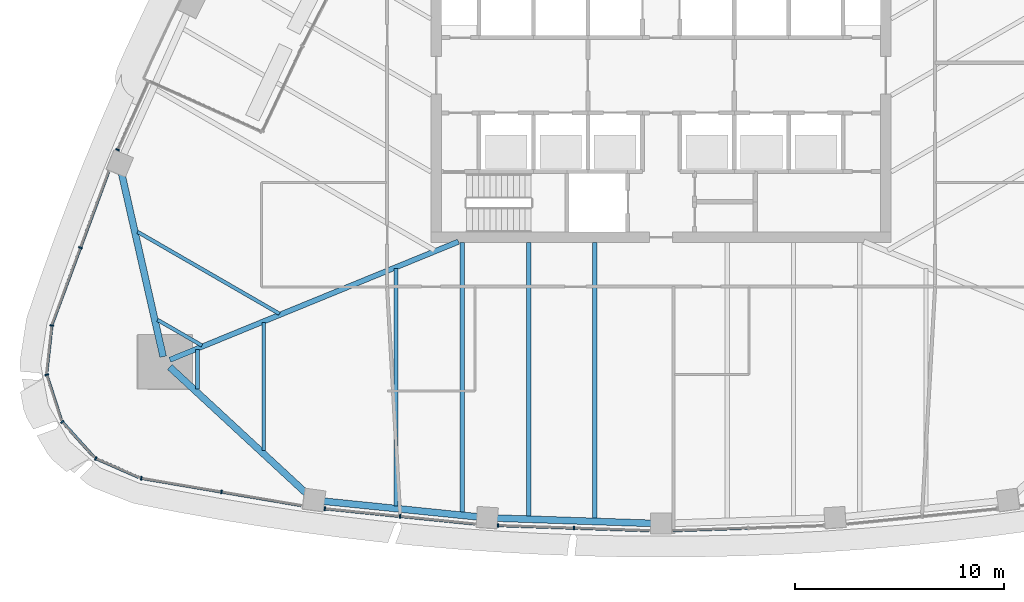
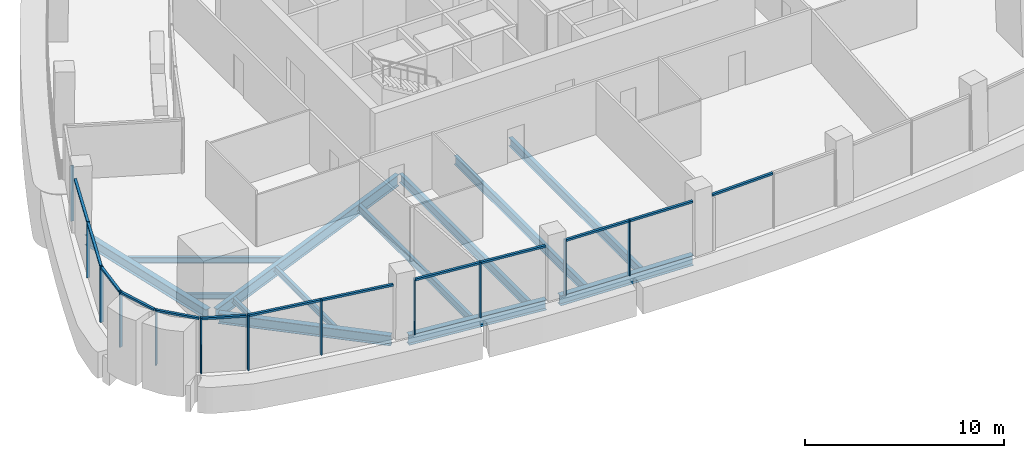
# One storey, part 2 of 19: 25 members, 13 beams, 10 elements without a shape of their own.
"""IFC4 building model written with IfcOpenShell, lengths in metres."""

from ifc_helpers import new_model, si_unit, direction, frame, origin, origin_2d, place, context, subcontext, project, spatial, rectangle, i_section, extrude, material, layer, layer_set, material_profile, profile_set, type_object, element, aggregate, save


model = new_model("IFC4")

# Units and contexts
model_context = context("Model", 3, precision=1e-05, world=origin(), true_north=direction((0.0, 1.0)))
body_context = subcontext(model_context, "Body", "Model", "MODEL_VIEW")
ifc_project = project(units=[si_unit("LENGTHUNIT", "METRE"), si_unit("AREAUNIT", "SQUARE_METRE"), si_unit("VOLUMEUNIT", "CUBIC_METRE"), si_unit("PLANEANGLEUNIT", "RADIAN"), si_unit("MASSUNIT", "GRAM", prefix="KILO")], contexts=[model_context])

# Site, building, storey
site_placement = place(None, origin())
site = spatial("IfcSite", under=ifc_project, at=site_placement, CompositionType="ELEMENT")
building_placement = place(site_placement, origin())
building = spatial("IfcBuilding", under=site, at=building_placement, Name="Sierra Prisma Convention Tower", CompositionType="ELEMENT")
storey_placement = place(building_placement, frame((0.0, 0.0, 173.800048828125)))
storey = spatial("IfcBuildingStorey", under=building, at=storey_placement, Name="L38", CompositionType="ELEMENT", Elevation=173.800048828125)

# Curtain wall, member
ifc_material_1 = material(Name="Aluminium and glass curtain wall", Category="aluminium")
ifc_layer = layer(ifc_material_1, 0.179931640625)
ifc_layer_set = layer_set([ifc_layer], Name="CW-1 Plain shaft curtain wall")
curtain_wall_type = type_object("IfcCurtainWallType", Name="CW-1 Plain shaft curtain wall", PredefinedType="NOTDEFINED", material=ifc_layer_set)
curtain_wall_1_placement = place(storey_placement, origin())
curtain_wall_1 = element("IfcCurtainWall", 1, at=curtain_wall_1_placement, inside=storey, type_object=curtain_wall_type, Name="CW-1 NW5b L38", PredefinedType="NOTDEFINED")
ifc_material_2 = material(Name="Aluminium 6063-T6 bronze anodised", Category="aluminium")
ifc_material_profile_1 = material_profile(ifc_material_2, rectangle(XDim=0.179931640625, YDim=0.070068359375, at=origin_2d()), Name="ALU MULLION 70x180")
ifc_profile_set_1 = profile_set([ifc_material_profile_1], Name="Aluminium 6063-T6 bronze anodised")
member_type_1 = type_object("IfcMemberType", Name="CW mullion bronze", PredefinedType="MULLION", material=ifc_profile_set_1)
member_1_placement = place(storey_placement, frame((-25.982666015625, -3.5634765625, 0.0), z_axis=(0.0, 0.0, 1.0), x_axis=(0.912124343507, -0.409913627465, 0.0)))
member_1 = element("IfcMember", 2, at=member_1_placement, type_object=member_type_1, Name="CW-1 mullion NW5b.2", PredefinedType="MULLION", context=body_context, shape_type="SweptSolid", body=[
    extrude(rectangle(XDim=0.179931640625, YDim=0.070068359375, at=origin_2d()), origin(), (0.0, 0.0, 1.0), 3.39990234375),
])
aggregate(curtain_wall_1, [member_1])

curtain_wall_2_placement = place(storey_placement, origin())
curtain_wall_2 = element("IfcCurtainWall", 3, at=curtain_wall_2_placement, inside=storey, type_object=curtain_wall_type, Name="CW-1 NW6 L38", PredefinedType="NOTDEFINED")
member_2_placement = place(storey_placement, frame((-27.758056640625, -8.241943359375, 0.0), z_axis=(0.0, 0.0, 1.0), x_axis=(0.937692909191, -0.34746511775, 0.0)))
member_2 = element("IfcMember", 4, at=member_2_placement, type_object=member_type_1, Name="CW-1 mullion NW6.2", PredefinedType="MULLION", context=body_context, shape_type="SweptSolid", body=[
    extrude(rectangle(XDim=0.179931640625, YDim=0.070068359375, at=origin_2d()), origin(), (0.0, 0.0, 1.0), 3.39990234375),
])

curtain_wall_3_placement = place(storey_placement, origin())
curtain_wall_3 = element("IfcCurtainWall", 5, at=curtain_wall_3_placement, inside=storey, type_object=curtain_wall_type, Name="CW-1 SW1 L38", PredefinedType="NOTDEFINED")
member_3_placement = place(storey_placement, frame((-29.125732421875, -11.95751953125, 0.0), z_axis=(0.0, 0.0, 1.0), x_axis=(0.99396265281, -0.109718935555, 0.0)))
member_3 = element("IfcMember", 6, at=member_3_placement, type_object=member_type_1, Name="CW-1 mullion SW1.1", PredefinedType="MULLION", context=body_context, shape_type="SweptSolid", body=[
    extrude(rectangle(XDim=0.179931640625, YDim=0.070068359375, at=origin_2d()), origin(), (0.0, 0.0, 1.0), 3.39990234375),
])

curtain_wall_4_placement = place(storey_placement, origin())
curtain_wall_4 = element("IfcCurtainWall", 7, at=curtain_wall_4_placement, inside=storey, type_object=curtain_wall_type, Name="CW-1 SW2 L38", PredefinedType="NOTDEFINED")
member_4_placement = place(storey_placement, frame((-29.371826171875, -14.316162109375, 0.0), z_axis=(0.0, 0.0, 1.0), x_axis=(0.95159281904, 0.307361524515, 0.0)))
member_4 = element("IfcMember", 8, at=member_4_placement, type_object=member_type_1, Name="CW-1 mullion SW2.1", PredefinedType="MULLION", context=body_context, shape_type="SweptSolid", body=[
    extrude(rectangle(XDim=0.179931640625, YDim=0.070068359375, at=origin_2d()), origin(), (0.0, 0.0, 1.0), 3.39990234375),
])

curtain_wall_5_placement = place(storey_placement, origin())
curtain_wall_5 = element("IfcCurtainWall", 9, at=curtain_wall_5_placement, inside=storey, type_object=curtain_wall_type, Name="CW-1 SW3 L38", PredefinedType="NOTDEFINED")
member_5_placement = place(storey_placement, frame((-28.629150390625, -16.568603515625, 0.0), z_axis=(0.0, 0.0, 1.0), x_axis=(0.741979297896, 0.67042279309, 0.0)))
member_5 = element("IfcMember", 10, at=member_5_placement, type_object=member_type_1, Name="CW-1 mullion SW3.1", PredefinedType="MULLION", context=body_context, shape_type="SweptSolid", body=[
    extrude(rectangle(XDim=0.179931640625, YDim=0.070068359375, at=origin_2d()), origin(), (0.0, 0.0, 1.0), 3.39990234375),
])

curtain_wall_6_placement = place(storey_placement, origin())
curtain_wall_6 = element("IfcCurtainWall", 11, at=curtain_wall_6_placement, inside=storey, type_object=curtain_wall_type, Name="CW-1 SW4 L38", PredefinedType="NOTDEFINED")
member_6_placement = place(storey_placement, frame((-27.028564453125, -18.318603515625, 0.0), z_axis=(0.0, 0.0, 1.0), x_axis=(0.401961940938, 0.915656375524, 0.0)))
member_6 = element("IfcMember", 12, at=member_6_placement, type_object=member_type_1, Name="CW-1 mullion SW4.1", PredefinedType="MULLION", context=body_context, shape_type="SweptSolid", body=[
    extrude(rectangle(XDim=0.179931640625, YDim=0.070068359375, at=origin_2d()), origin(), (0.0, 0.0, 1.0), 3.39990234375),
])

# Curtain wall, members
curtain_wall_7_placement = place(storey_placement, origin())
curtain_wall_7 = element("IfcCurtainWall", 13, at=curtain_wall_7_placement, inside=storey, type_object=curtain_wall_type, Name="CW-1 S1 L38", PredefinedType="NOTDEFINED")
member_7_placement = place(storey_placement, frame((-24.851806640625, -19.264892578125, 0.0), z_axis=(0.0, 0.0, 1.0), x_axis=(0.167932835695, 0.985798439183, 0.0)))
member_7 = element("IfcMember", 14, at=member_7_placement, type_object=member_type_1, Name="CW-1 mullion S1.1", PredefinedType="MULLION", context=body_context, shape_type="SweptSolid", body=[
    extrude(rectangle(XDim=0.179931640625, YDim=0.070068359375, at=origin_2d()), origin(), (0.0, 0.0, 1.0), 3.39990234375),
])
member_8_placement = place(storey_placement, frame((-21.0166015625, -19.918212890625, 0.0), z_axis=(0.0, 0.0, 1.0), x_axis=(0.167932835695, 0.985798439183, 0.0)))
member_8 = element("IfcMember", 15, at=member_8_placement, type_object=member_type_1, Name="CW-1 mullion S1.2", PredefinedType="MULLION", context=body_context, shape_type="SweptSolid", body=[
    extrude(rectangle(XDim=0.179931640625, YDim=0.070068359375, at=origin_2d()), origin(), (0.0, 0.0, 1.0), 3.39990234375),
])

curtain_wall_8_placement = place(storey_placement, origin())
curtain_wall_8 = element("IfcCurtainWall", 16, at=curtain_wall_8_placement, inside=storey, type_object=curtain_wall_type, Name="CW-1 S2 L38", PredefinedType="NOTDEFINED")
member_9_placement = place(storey_placement, frame((-16.077392578125, -20.719970703125, 0.0), z_axis=(0.0, 0.0, 1.0), x_axis=(0.101066557011, 0.99487966662, 0.0)))
member_9 = element("IfcMember", 17, at=member_9_placement, type_object=member_type_1, Name="CW-1 mullion S2.1", PredefinedType="MULLION", context=body_context, shape_type="SweptSolid", body=[
    extrude(rectangle(XDim=0.179931640625, YDim=0.070068359375, at=origin_2d()), origin(), (0.0, 0.0, 1.0), 3.39990234375),
])
member_10_placement = place(storey_placement, frame((-12.477783203125, -21.085693359375, 0.0), z_axis=(0.0, 0.0, 1.0), x_axis=(0.101066557011, 0.99487966662, 0.0)))
member_10 = element("IfcMember", 18, at=member_10_placement, type_object=member_type_1, Name="CW-1 mullion S2.2", PredefinedType="MULLION", context=body_context, shape_type="SweptSolid", body=[
    extrude(rectangle(XDim=0.179931640625, YDim=0.070068359375, at=origin_2d()), origin(), (0.0, 0.0, 1.0), 3.39990234375),
])

curtain_wall_9_placement = place(storey_placement, origin())
curtain_wall_9 = element("IfcCurtainWall", 19, at=curtain_wall_9_placement, inside=storey, type_object=curtain_wall_type, Name="CW-1 S3 L38", PredefinedType="NOTDEFINED")
member_11_placement = place(storey_placement, frame((-7.798828125, -21.52392578125, 0.0), z_axis=(0.0, 0.0, 1.0), x_axis=(0.033740064896, 0.999430641926, 0.0)))
member_11 = element("IfcMember", 20, at=member_11_placement, type_object=member_type_1, Name="CW-1 mullion S3.1", PredefinedType="MULLION", context=body_context, shape_type="SweptSolid", body=[
    extrude(rectangle(XDim=0.179931640625, YDim=0.070068359375, at=origin_2d()), origin(), (0.0, 0.0, 1.0), 3.39990234375),
])
member_12_placement = place(storey_placement, frame((-4.166748046875, -21.646484375, 0.0), z_axis=(0.0, 0.0, 1.0), x_axis=(0.033740064896, 0.999430641926, 0.0)))
member_12 = element("IfcMember", 21, at=member_12_placement, type_object=member_type_1, Name="CW-1 mullion S3.2", PredefinedType="MULLION", context=body_context, shape_type="SweptSolid", body=[
    extrude(rectangle(XDim=0.179931640625, YDim=0.070068359375, at=origin_2d()), origin(), (0.0, 0.0, 1.0), 3.39990234375),
])

# Member
ifc_material_3 = material(Name="Aluminium 6063-T6 bronze anodised", Category="aluminium")
ifc_material_profile_2 = material_profile(ifc_material_3, rectangle(XDim=0.139892578125, YDim=0.1201171875, at=origin_2d()), Name="ALU TRANSOM 120x140")
ifc_profile_set_2 = profile_set([ifc_material_profile_2], Name="Aluminium 6063-T6 bronze anodised")
member_type_2 = type_object("IfcMemberType", Name="CW transom bronze", PredefinedType="USERDEFINED", material=ifc_profile_set_2)
member_13_placement = place(storey_placement, frame((-26.41845703125, -4.626708984375, 3.33984375), z_axis=(-0.347457967234, -0.937695558806, 0.0), x_axis=(0.937695558806, -0.347457967234, 0.0)))
member_13 = element("IfcMember", 22, at=member_13_placement, type_object=member_type_2, Name="CW-1 transom NW6.1", ObjectType="TRANSOM", PredefinedType="USERDEFINED", context=body_context, shape_type="SweptSolid", body=[
    extrude(rectangle(XDim=0.139892578125, YDim=0.1201171875, at=origin_2d()), origin(), (0.0, 0.0, 1.0), 3.8203125),
])

member_14_placement = place(storey_placement, frame((-27.770263671875, -8.274658203125, 3.33984375), z_axis=(-0.347457967234, -0.937695558806, 0.0), x_axis=(0.937695558806, -0.347457967234, 0.0)))
member_14 = element("IfcMember", 23, at=member_14_placement, type_object=member_type_2, Name="CW-1 transom NW6.2", ObjectType="TRANSOM", PredefinedType="USERDEFINED", context=body_context, shape_type="SweptSolid", body=[
    extrude(rectangle(XDim=0.139892578125, YDim=0.1201171875, at=origin_2d()), origin(), (0.0, 0.0, 1.0), 3.8203125),
])

aggregate(curtain_wall_2, [member_2, member_13, member_14])

member_15_placement = place(storey_placement, frame((-29.129638671875, -11.9921875, 3.33984375), z_axis=(-0.109688055102, -0.993966061074, 0.0), x_axis=(0.993966061074, -0.109688055102, 0.0)))
member_15 = element("IfcMember", 24, at=member_15_placement, type_object=member_type_2, Name="CW-1 transom SW1.1", ObjectType="TRANSOM", PredefinedType="USERDEFINED", context=body_context, shape_type="SweptSolid", body=[
    extrude(rectangle(XDim=0.139892578125, YDim=0.1201171875, at=origin_2d()), origin(), (0.0, 0.0, 1.0), 2.234619140625),
])

aggregate(curtain_wall_3, [member_3, member_15])

member_16_placement = place(storey_placement, frame((-29.361083984375, -14.349609375, 3.33984375), z_axis=(0.307430483083, -0.951570542877, 0.0), x_axis=(0.951570542877, 0.307430483083, 0.0)))
member_16 = element("IfcMember", 25, at=member_16_placement, type_object=member_type_2, Name="CW-1 transom SW2.1", ObjectType="TRANSOM", PredefinedType="USERDEFINED", context=body_context, shape_type="SweptSolid", body=[
    extrude(rectangle(XDim=0.139892578125, YDim=0.1201171875, at=origin_2d()), origin(), (0.0, 0.0, 1.0), 2.234619140625),
])

aggregate(curtain_wall_4, [member_4, member_16])

member_17_placement = place(storey_placement, frame((-28.605712890625, -16.594482421875, 3.33984375), z_axis=(0.670363888221, -0.742032517731, 0.0), x_axis=(0.742032517731, 0.670363888221, 0.0)))
member_17 = element("IfcMember", 26, at=member_17_placement, type_object=member_type_2, Name="CW-1 transom SW3.1", ObjectType="TRANSOM", PredefinedType="USERDEFINED", context=body_context, shape_type="SweptSolid", body=[
    extrude(rectangle(XDim=0.139892578125, YDim=0.1201171875, at=origin_2d()), origin(), (0.0, 0.0, 1.0), 2.234619140625),
])

aggregate(curtain_wall_5, [member_5, member_17])

member_18_placement = place(storey_placement, frame((-26.99658203125, -18.332763671875, 3.33984375), z_axis=(0.915662665151, -0.401947613064, 0.0), x_axis=(0.401947613064, 0.915662665151, 0.0)))
member_18 = element("IfcMember", 27, at=member_18_placement, type_object=member_type_2, Name="CW-1 transom SW4.1", ObjectType="TRANSOM", PredefinedType="USERDEFINED", context=body_context, shape_type="SweptSolid", body=[
    extrude(rectangle(XDim=0.139892578125, YDim=0.1201171875, at=origin_2d()), origin(), (0.0, 0.0, 1.0), 2.234619140625),
])

aggregate(curtain_wall_6, [member_6, member_18])

member_19_placement = place(storey_placement, frame((-24.8173828125, -19.270751953125, 3.33984375), z_axis=(0.985798670523, -0.167931477678, 0.0), x_axis=(0.167931477678, 0.985798670523, 0.0)))
member_19 = element("IfcMember", 28, at=member_19_placement, type_object=member_type_2, Name="CW-1 transom S1.1", ObjectType="TRANSOM", PredefinedType="USERDEFINED", context=body_context, shape_type="SweptSolid", body=[
    extrude(rectangle(XDim=0.139892578125, YDim=0.1201171875, at=origin_2d()), origin(), (0.0, 0.0, 1.0), 3.820556640625),
])

member_20_placement = place(storey_placement, frame((-20.982177734375, -19.924072265625, 3.33984375), z_axis=(0.985796868286, -0.167942056907, 0.0), x_axis=(0.167942056907, 0.985796868286, 0.0)))
member_20 = element("IfcMember", 29, at=member_20_placement, type_object=member_type_2, Name="CW-1 transom S1.2", ObjectType="TRANSOM", PredefinedType="USERDEFINED", context=body_context, shape_type="SweptSolid", body=[
    extrude(rectangle(XDim=0.139892578125, YDim=0.1201171875, at=origin_2d()), origin(), (0.0, 0.0, 1.0), 3.8203125),
])

aggregate(curtain_wall_7, [member_7, member_8, member_19, member_20])

member_21_placement = place(storey_placement, frame((-16.042724609375, -20.7236328125, 3.33984375), z_axis=(0.994885492501, -0.101009191714, 0.0), x_axis=(0.101009191714, 0.994885492501, 0.0)))
member_21 = element("IfcMember", 30, at=member_21_placement, type_object=member_type_2, Name="CW-1 transom S2.1", ObjectType="TRANSOM", PredefinedType="USERDEFINED", context=body_context, shape_type="SweptSolid", body=[
    extrude(rectangle(XDim=0.139892578125, YDim=0.1201171875, at=origin_2d()), origin(), (0.0, 0.0, 1.0), 3.548095703125),
])

member_22_placement = place(storey_placement, frame((-12.443115234375, -21.089111328125, 3.33984375), z_axis=(0.99487857559, -0.101077296324, 0.0), x_axis=(0.101077296324, 0.99487857559, 0.0)))
member_22 = element("IfcMember", 31, at=member_22_placement, type_object=member_type_2, Name="CW-1 transom S2.2", ObjectType="TRANSOM", PredefinedType="USERDEFINED", context=body_context, shape_type="SweptSolid", body=[
    extrude(rectangle(XDim=0.139892578125, YDim=0.1201171875, at=origin_2d()), origin(), (0.0, 0.0, 1.0), 3.548095703125),
])

aggregate(curtain_wall_8, [member_9, member_10, member_21, member_22])

member_23_placement = place(storey_placement, frame((-7.763916015625, -21.525146484375, 3.33984375), z_axis=(0.999431984818, -0.033700262938, 0.0), x_axis=(0.033700262938, 0.999431984818, 0.0)))
member_23 = element("IfcMember", 32, at=member_23_placement, type_object=member_type_2, Name="CW-1 transom S3.1", ObjectType="TRANSOM", PredefinedType="USERDEFINED", context=body_context, shape_type="SweptSolid", body=[
    extrude(rectangle(XDim=0.139892578125, YDim=0.1201171875, at=origin_2d()), origin(), (0.0, 0.0, 1.0), 3.564208984375),
])

member_24_placement = place(storey_placement, frame((-4.1318359375, -21.647705078125, 3.33984375), z_axis=(0.999431984818, -0.033700262938, 0.0), x_axis=(0.033700262938, 0.999431984818, 0.0)))
member_24 = element("IfcMember", 33, at=member_24_placement, type_object=member_type_2, Name="CW-1 transom S3.2", ObjectType="TRANSOM", PredefinedType="USERDEFINED", context=body_context, shape_type="SweptSolid", body=[
    extrude(rectangle(XDim=0.139892578125, YDim=0.1201171875, at=origin_2d()), origin(), (0.0, 0.0, 1.0), 3.564208984375),
])

aggregate(curtain_wall_9, [member_11, member_12, member_23, member_24])

# Curtain wall, member
curtain_wall_10_placement = place(storey_placement, origin())
curtain_wall_10 = element("IfcCurtainWall", 34, at=curtain_wall_10_placement, inside=storey, type_object=curtain_wall_type, Name="CW-1 S4 L38", PredefinedType="NOTDEFINED")
member_25_placement = place(storey_placement, frame((0.569580078125, -21.767822265625, 3.33984375), z_axis=(0.999431984818, 0.033700262938, 0.0), x_axis=(-0.033700262938, 0.999431984818, 0.0)))
member_25 = element("IfcMember", 35, at=member_25_placement, type_object=member_type_2, Name="CW-1 transom S4.1", ObjectType="TRANSOM", PredefinedType="USERDEFINED", context=body_context, shape_type="SweptSolid", body=[
    extrude(rectangle(XDim=0.139892578125, YDim=0.1201171875, at=origin_2d()), origin(), (0.0, 0.0, 1.0), 3.564208984375),
])
aggregate(curtain_wall_10, [member_25])

# Beams
ifc_material_4 = material(Name="Steel ASTM A992 Gr 50", Category="steel")
ifc_material_profile_3 = material_profile(ifc_material_4, i_section(OverallWidth=0.172119140625, OverallDepth=0.35791015625, WebThickness=0.0078125, FlangeThickness=0.01318359375, at=origin_2d()), Name="W360x57")
ifc_profile_set_3 = profile_set([ifc_material_profile_3], Name="Steel ASTM A992 Gr 50")
beam_type_1 = type_object("IfcBeamType", Name="Floor joist W360x57", PredefinedType="JOIST", material=ifc_profile_set_3)
beam_1_placement = place(storey_placement, frame((-22.1640625, -15.00341796875, -0.3291015625), z_axis=(0.0, 1.0, 0.0), x_axis=(-1.0, 0.0, 0.0)))
element("IfcBeam", 36, at=beam_1_placement, inside=storey, type_object=beam_type_1, Name="Floor joist L38 S01", PredefinedType="JOIST", context=body_context, shape_type="SweptSolid", body=[
    extrude(i_section(OverallWidth=0.172119140625, OverallDepth=0.35791015625, WebThickness=0.0078125, FlangeThickness=0.01318359375, at=origin_2d()), origin(), (0.0, 0.0, 1.0), 1.88623046875),
])
beam_2_placement = place(storey_placement, frame((-18.997802734375, -17.931884765625, -0.3291015625), z_axis=(0.0, 1.0, 0.0), x_axis=(-1.0, 0.0, 0.0)))
element("IfcBeam", 37, at=beam_2_placement, inside=storey, type_object=beam_type_1, Name="Floor joist L38 S02", PredefinedType="JOIST", context=body_context, shape_type="SweptSolid", body=[
    extrude(i_section(OverallWidth=0.172119140625, OverallDepth=0.35791015625, WebThickness=0.0078125, FlangeThickness=0.01318359375, at=origin_2d()), origin(), (0.0, 0.0, 1.0), 6.111083984375),
])
beam_3_placement = place(storey_placement, frame((-25.0283203125, -7.486572265625, -0.3291015625), z_axis=(0.86602675185, -0.499997665074, 0.0), x_axis=(0.499997665074, 0.86602675185, 0.0)))
element("IfcBeam", 38, at=beam_3_placement, inside=storey, type_object=beam_type_1, Name="Floor joist L38 NW14", PredefinedType="JOIST", context=body_context, shape_type="SweptSolid", body=[
    extrude(i_section(OverallWidth=0.172119140625, OverallDepth=0.35791015625, WebThickness=0.0078125, FlangeThickness=0.01318359375, at=origin_2d()), origin(), (0.0, 0.0, 1.0), 7.83251953125),
])
beam_4_placement = place(storey_placement, frame((-24.075439453125, -11.69287109375, -0.3291015625), z_axis=(0.866018256711, -0.500012378889, 0.0), x_axis=(0.500012378889, 0.866018256711, 0.0)))
element("IfcBeam", 39, at=beam_4_placement, inside=storey, type_object=beam_type_1, Name="Floor joist L38 NW15", PredefinedType="JOIST", context=body_context, shape_type="SweptSolid", body=[
    extrude(i_section(OverallWidth=0.172119140625, OverallDepth=0.35791015625, WebThickness=0.0078125, FlangeThickness=0.01318359375, at=origin_2d()), origin(), (0.0, 0.0, 1.0), 2.4541015625),
])
ifc_material_5 = material(Name="Steel ASTM A992 Gr 50", Category="steel")
ifc_material_profile_4 = material_profile(ifc_material_5, i_section(OverallWidth=0.18994140625, OverallDepth=0.45703125, WebThickness=0.009033203125, FlangeThickness=0.014404296875, at=origin_2d()), Name="W460x74")
ifc_profile_set_4 = profile_set([ifc_material_profile_4], Name="Steel ASTM A992 Gr 50")
beam_type_2 = type_object("IfcBeamType", Name="Floor joist W460x74", PredefinedType="JOIST", material=ifc_profile_set_4)
beam_5_placement = place(storey_placement, frame((-12.665283203125, -20.601806640625, -0.378662109375), z_axis=(0.0, 1.0, 0.0), x_axis=(-1.0, 0.0, 0.0)))
element("IfcBeam", 40, at=beam_5_placement, inside=storey, type_object=beam_type_2, Name="Floor joist L38 S04", PredefinedType="JOIST", context=body_context, shape_type="SweptSolid", body=[
    extrude(i_section(OverallWidth=0.18994140625, OverallDepth=0.45703125, WebThickness=0.009033203125, FlangeThickness=0.014404296875, at=origin_2d()), origin(), (0.0, 0.0, 1.0), 11.373779296875),
])
ifc_material_6 = material(Name="Steel ASTM A992 Gr 50", Category="steel")
ifc_material_profile_5 = material_profile(ifc_material_6, i_section(OverallWidth=0.208984375, OverallDepth=0.532958984375, WebThickness=0.01025390625, FlangeThickness=0.015625, at=origin_2d()), Name="W530x92")
ifc_profile_set_5 = profile_set([ifc_material_profile_5], Name="Steel ASTM A992 Gr 50")
beam_type_3 = type_object("IfcBeamType", Name="Floor joist W530x92", PredefinedType="JOIST", material=ifc_profile_set_5)
beam_6_placement = place(storey_placement, frame((-9.498779296875, -20.92333984375, -0.41650390625), z_axis=(0.0, 1.0, 0.0), x_axis=(-1.0, 0.0, 0.0)))
element("IfcBeam", 41, at=beam_6_placement, inside=storey, type_object=beam_type_3, Name="Floor joist L38 S05", PredefinedType="JOIST", context=body_context, shape_type="SweptSolid", body=[
    extrude(i_section(OverallWidth=0.208984375, OverallDepth=0.532958984375, WebThickness=0.01025390625, FlangeThickness=0.015625, at=origin_2d()), origin(), (0.0, 0.0, 1.0), 12.92333984375),
])
beam_7_placement = place(storey_placement, frame((-6.33251953125, -21.11083984375, -0.41650390625), z_axis=(0.0, 1.0, 0.0), x_axis=(-1.0, 0.0, 0.0)))
element("IfcBeam", 42, at=beam_7_placement, inside=storey, type_object=beam_type_3, Name="Floor joist L38 S06", PredefinedType="JOIST", context=body_context, shape_type="SweptSolid", body=[
    extrude(i_section(OverallWidth=0.208984375, OverallDepth=0.532958984375, WebThickness=0.01025390625, FlangeThickness=0.015625, at=origin_2d()), origin(), (0.0, 0.0, 1.0), 13.11083984375),
])
beam_8_placement = place(storey_placement, frame((-3.166259765625, -21.217529296875, -0.41650390625), z_axis=(0.0, 1.0, 0.0), x_axis=(-1.0, 0.0, 0.0)))
element("IfcBeam", 43, at=beam_8_placement, inside=storey, type_object=beam_type_3, Name="Floor joist L38 S07", PredefinedType="JOIST", context=body_context, shape_type="SweptSolid", body=[
    extrude(i_section(OverallWidth=0.208984375, OverallDepth=0.532958984375, WebThickness=0.01025390625, FlangeThickness=0.015625, at=origin_2d()), origin(), (0.0, 0.0, 1.0), 13.217529296875),
])
ifc_material_7 = material(Name="Steel ASTM A992 Gr 50", Category="steel")
ifc_material_profile_6 = material_profile(ifc_material_7, i_section(OverallWidth=0.25390625, OverallDepth=0.68408203125, WebThickness=0.012451171875, FlangeThickness=0.018798828125, at=origin_2d()), Name="W690x140")
ifc_profile_set_6 = profile_set([ifc_material_profile_6], Name="Steel ASTM A992 Gr 50")
beam_type_4 = type_object("IfcBeamType", Name="Radial girder W690x140", PredefinedType="BEAM", material=ifc_profile_set_6)
beam_9_placement = place(storey_placement, frame((-23.4873046875, -13.60400390625, -0.491943359375), z_axis=(0.925437891645, 0.378899338488, 0.0), x_axis=(-0.378899338488, 0.925437891645, 0.0)))
element("IfcBeam", 44, at=beam_9_placement, inside=storey, type_object=beam_type_4, Name="Radial girder L38 SW", PredefinedType="BEAM", context=body_context, shape_type="SweptSolid", body=[
    extrude(i_section(OverallWidth=0.25390625, OverallDepth=0.68408203125, WebThickness=0.012451171875, FlangeThickness=0.018798828125, at=origin_2d()), origin(), (0.0, 0.0, 1.0), 14.91015625),
])
ifc_material_8 = material(Name="Steel ASTM A992 Gr 50", Category="steel")
ifc_material_profile_7 = material_profile(ifc_material_8, i_section(OverallWidth=0.324951171875, OverallDepth=0.615966796875, WebThickness=0.013916015625, FlangeThickness=0.021484375, at=origin_2d()), Name="W610x174")
ifc_profile_set_7 = profile_set([ifc_material_profile_7], Name="Steel ASTM A992 Gr 50")
beam_type_5 = type_object("IfcBeamType", Name="Spandrel beam W610x174", PredefinedType="BEAM", material=ifc_profile_set_7)
beam_10_placement = place(storey_placement, frame((-23.4873046875, -13.950927734375, -0.4580078125), z_axis=(0.734127530013, -0.679011612329, 0.0), x_axis=(0.679011612329, 0.734127530013, 0.0)))
element("IfcBeam", 45, at=beam_10_placement, inside=storey, type_object=beam_type_5, Name="Spandrel L38-01", PredefinedType="BEAM", context=body_context, shape_type="SweptSolid", body=[
    extrude(i_section(OverallWidth=0.324951171875, OverallDepth=0.615966796875, WebThickness=0.013916015625, FlangeThickness=0.021484375, at=origin_2d()), origin(), (0.0, 0.0, 1.0), 8.88134765625),
])
beam_11_placement = place(storey_placement, frame((-16.228759765625, -20.35302734375, -0.4580078125), z_axis=(0.994881049692, -0.101052941386, 0.0), x_axis=(0.101052941386, 0.994881049692, 0.0)))
element("IfcBeam", 46, at=beam_11_placement, inside=storey, type_object=beam_type_5, Name="Spandrel L38-02", PredefinedType="BEAM", context=body_context, shape_type="SweptSolid", body=[
    extrude(i_section(OverallWidth=0.324951171875, OverallDepth=0.615966796875, WebThickness=0.013916015625, FlangeThickness=0.021484375, at=origin_2d()), origin(), (0.0, 0.0, 1.0), 7.56689453125),
])
beam_12_placement = place(storey_placement, frame((-7.9423828125, -21.1689453125, -0.4580078125), z_axis=(0.999430308815, -0.033749930687, 0.0), x_axis=(0.033749930687, 0.999430308815, 0.0)))
element("IfcBeam", 47, at=beam_12_placement, inside=storey, type_object=beam_type_5, Name="Spandrel L38-03", PredefinedType="BEAM", context=body_context, shape_type="SweptSolid", body=[
    extrude(i_section(OverallWidth=0.324951171875, OverallDepth=0.615966796875, WebThickness=0.013916015625, FlangeThickness=0.021484375, at=origin_2d()), origin(), (0.0, 0.0, 1.0), 7.566650390625),
])
beam_13_placement = place(storey_placement, frame((-25.7880859375, -4.703369140625, -0.4580078125), z_axis=(0.220981012029, -0.975278110245, 0.0), x_axis=(0.975278110245, 0.220981012029, 0.0)))
element("IfcBeam", 48, at=beam_13_placement, inside=storey, type_object=beam_type_5, Name="Spandrel L38-18", PredefinedType="BEAM", context=body_context, shape_type="SweptSolid", body=[
    extrude(i_section(OverallWidth=0.324951171875, OverallDepth=0.615966796875, WebThickness=0.013916015625, FlangeThickness=0.021484375, at=origin_2d()), origin(), (0.0, 0.0, 1.0), 8.96875),
])

save(model, "model.ifc")
